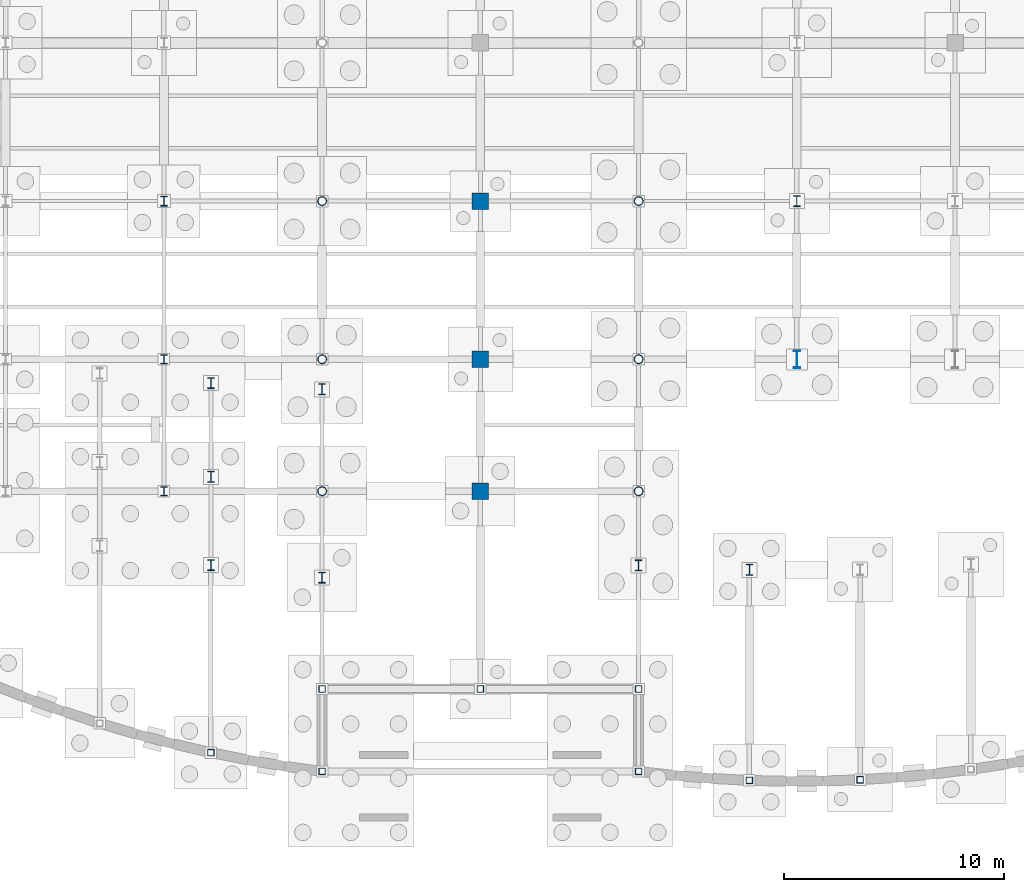
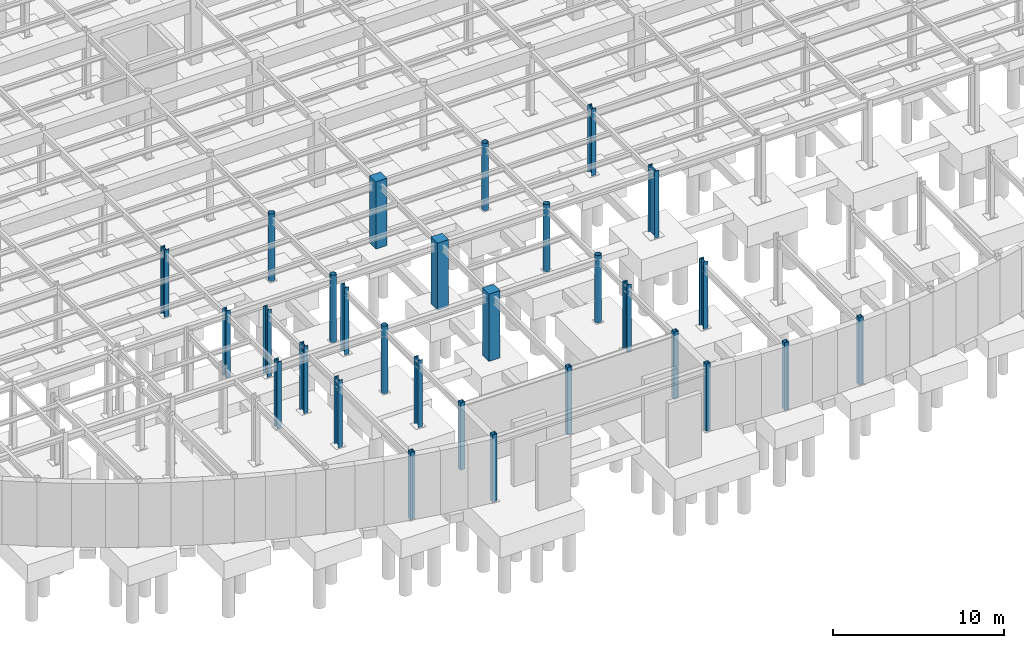
# One storey, part 19 of 64: 29 columns.
"""IFC4 building model written with IfcOpenShell, lengths in metres."""

import ifcopenshell
import ifcopenshell.guid

model = None  # the IFC model being written
_history = None  # IfcOwnerHistory: only IFC2X3 demands one
_inside = {}  # id of a spatial element -> (the spatial element, [elements in it])
_under = {}  # id of a project, library or spatial element -> (it, [spatial elements below it])
_declared = {}  # id of a project -> (the project, [libraries it declares])
_typed = {}  # id of a type object -> (the type object, [elements of that type])
_made_of = {}  # id of a material, layer set ... -> (it, [elements and type objects made of it])


def new_model(schema):
    """Start an empty IFC model of exactly this schema.

    Asked for "IFC4X3", IfcOpenShell would pick the latest addendum, in which some entities
    have other attributes; the version numbers below select the first issue.
    IFC2X3 requires an IfcOwnerHistory on every rooted entity: one is made here for all.
    """
    global model, _history
    if schema == "IFC4X3":
        model = ifcopenshell.file(schema_version=(4, 3, 0, 0))
    else:
        model = ifcopenshell.file(schema=schema)
    _inside.clear()
    _under.clear()
    _declared.clear()
    _typed.clear()
    _made_of.clear()
    _history = None
    if model.schema == "IFC2X3":
        org = make("IfcOrganization", Name="unknown")
        user = make(
            "IfcPersonAndOrganization",
            ThePerson=make("IfcPerson", FamilyName="unknown"),
            TheOrganization=org,
        )
        app = make(
            "IfcApplication",
            ApplicationDeveloper=org,
            Version="unknown",
            ApplicationFullName="unknown",
            ApplicationIdentifier="unknown",
        )
        _history = make(
            "IfcOwnerHistory",
            OwningUser=user,
            OwningApplication=app,
            ChangeAction="ADDED",
            CreationDate=0,
        )
    return model


def make(cls, **values):
    """One entity of the class cls with the attributes given. An attribute that is None is left unset."""
    return model.create_entity(
        cls, **{name: value for name, value in values.items() if value is not None}
    )


def rooted(cls, **values):
    """An entity with a GlobalId (a new one), such as an element, a storey or a relation."""
    return make(cls, GlobalId=ifcopenshell.guid.new(), OwnerHistory=_history, **values)


def si_unit(unit_type, name, prefix=None):
    """IfcSIUnit, for example si_unit("LENGTHUNIT", "METRE", prefix="MILLI")."""
    return make("IfcSIUnit", UnitType=unit_type, Prefix=prefix, Name=name)


def assignment(units):
    """IfcUnitAssignment: the units of a project."""
    return None if units is None else make("IfcUnitAssignment", Units=units)


def point(xyz):
    """IfcCartesianPoint."""
    return None if xyz is None else make("IfcCartesianPoint", Coordinates=xyz)


def direction(xyz):
    """IfcDirection."""
    return None if xyz is None else make("IfcDirection", DirectionRatios=xyz)


def frame(location, z_axis=None, x_axis=None):
    """IfcAxis2Placement3D, a coordinate frame: its origin and axes. An axis left out is left unset."""
    return make(
        "IfcAxis2Placement3D",
        Location=point(location),
        Axis=direction(z_axis),
        RefDirection=direction(x_axis),
    )


def frame_2d(location, x_axis=None):
    """IfcAxis2Placement2D, a coordinate frame in the plane: its origin and x axis."""
    return make(
        "IfcAxis2Placement2D", Location=point(location), RefDirection=direction(x_axis)
    )


def origin():
    """The frame at (0, 0, 0) with its axes left unset."""
    return frame((0.0, 0.0, 0.0))


def origin_2d():
    """The frame at (0, 0) in the plane with its x axis left unset."""
    return frame_2d((0.0, 0.0))


def place(relative_to, where):
    """IfcLocalPlacement: puts the frame where relative to a parent placement (None: the world)."""
    return make(
        "IfcLocalPlacement", PlacementRelTo=relative_to, RelativePlacement=where
    )


def context(
    kind, dimensions, precision=None, world=None, true_north=None, identifier=None
):
    """IfcGeometricRepresentationContext, for example the 3D "Model" context."""
    return make(
        "IfcGeometricRepresentationContext",
        ContextIdentifier=identifier,
        ContextType=kind,
        CoordinateSpaceDimension=dimensions,
        Precision=precision,
        WorldCoordinateSystem=world,
        TrueNorth=true_north,
    )


def subcontext(parent, identifier, kind, view, scale=None):
    """IfcGeometricRepresentationSubContext, for example "Body" below "Model"."""
    return make(
        "IfcGeometricRepresentationSubContext",
        ContextIdentifier=identifier,
        ContextType=kind,
        ParentContext=parent,
        TargetScale=scale,
        TargetView=view,
    )


def project(units=None, contexts=None):
    """IfcProject with its units and contexts."""
    return rooted(
        "IfcProject",
        Name="project",
        RepresentationContexts=contexts,
        UnitsInContext=assignment(units),
    )


def spatial(cls, under=None, at=None, **own):
    """A site, building, storey or space (cls), placed at a placement, below another one or the project."""
    s = rooted(cls, ObjectPlacement=at, **own)
    if under is not None:
        _under.setdefault(under.id(), (under, []))[1].append(s)
    return s


def profile(cls, at=None, kind="AREA", **sizes):
    """A parametric profile (cls). Its sizes go by their IFC names, for example OverallWidth=200.0."""
    return make(cls, ProfileType=kind, Position=at, **sizes)


def rectangle(**sizes):
    """IfcRectangleProfileDef."""
    return profile("IfcRectangleProfileDef", **sizes)


def hollow_rectangle(**sizes):
    """IfcRectangleHollowProfileDef."""
    return profile("IfcRectangleHollowProfileDef", **sizes)


def hollow_circle(**sizes):
    """IfcCircleHollowProfileDef."""
    return profile("IfcCircleHollowProfileDef", **sizes)


def i_section(**sizes):
    """IfcIShapeProfileDef."""
    return profile("IfcIShapeProfileDef", **sizes)


def extrude(swept, where, along, depth):
    """IfcExtrudedAreaSolid: the profile swept, set in the frame where, extruded along a direction by depth."""
    return make(
        "IfcExtrudedAreaSolid",
        SweptArea=swept,
        Position=where,
        ExtrudedDirection=direction(along),
        Depth=depth,
    )


def shape(context_of_items, identifier, shape_type, items):
    """IfcShapeRepresentation: the items that make up one representation, for example the "Body"."""
    return make(
        "IfcShapeRepresentation",
        ContextOfItems=context_of_items,
        RepresentationIdentifier=identifier,
        RepresentationType=shape_type,
        Items=items,
    )


def material(Name=None, Category=None):
    """IfcMaterial."""
    return make("IfcMaterial", Name=Name, Category=Category)


def material_profile(
    of_material, cross_section, Name=None, Category=None, Priority=None
):
    """IfcMaterialProfile: a cross section and its material."""
    return make(
        "IfcMaterialProfile",
        Name=Name,
        Material=of_material,
        Profile=cross_section,
        Priority=Priority,
        Category=Category,
    )


def profile_set(profiles, Name=None, composite=None):
    """IfcMaterialProfileSet."""
    return make(
        "IfcMaterialProfileSet",
        Name=Name,
        MaterialProfiles=profiles,
        CompositeProfile=composite,
    )


def made_of(thing, what):
    """Note that an element or type object is made of a material, layer set ...; save() writes the relation."""
    if what is not None:
        _made_of.setdefault(what.id(), (what, []))[1].append(thing)
    return thing


def type_object(cls, material=None, **own):
    """A type object (cls), such as IfcWallType, which elements share."""
    return made_of(rooted(cls, **own), material)


def element(
    cls,
    number,
    at=None,
    inside=None,
    cuts=None,
    type_object=None,
    material=None,
    context=None,
    identifier="Body",
    shape_type=None,
    held_by="IfcProductDefinitionShape",
    body=None,
    shapes=None,
    **own,
):
    """One element of the class cls, such as IfcWall. Its Tag is "e" and its number.

    at: its placement. inside: the storey or other place that contains it. cuts: it is an
    opening in that element (IfcRelVoidsElement). A single representation is given by context,
    identifier, shape_type and body (its items); several are given by shapes. held_by: the class
    of the entity that holds the representations. save() writes the other relations.
    """
    e = rooted(cls, Tag="e%d" % number, ObjectPlacement=at, **own)
    if body is not None:
        shapes = [shape(context, identifier, shape_type, body)]
    if shapes is not None:
        e.Representation = make(held_by, Representations=shapes)
    if inside is not None:
        _inside.setdefault(inside.id(), (inside, []))[1].append(e)
    if cuts is not None:
        rooted(
            "IfcRelVoidsElement", RelatingBuildingElement=cuts, RelatedOpeningElement=e
        )
    if type_object is not None:
        _typed.setdefault(type_object.id(), (type_object, []))[1].append(e)
    return made_of(e, material)


def aggregate(whole, parts):
    """IfcRelAggregates: a whole, such as a stair, and the parts it consists of."""
    return rooted("IfcRelAggregates", RelatingObject=whole, RelatedObjects=parts)


def save(model, path):
    """Write the relations noted so far, then the file.

    IfcRelAggregates (storeys below a building ...), IfcRelContainedInSpatialStructure (elements
    in a storey), IfcRelDefinesByType, IfcRelAssociatesMaterial and IfcRelDeclares: one each for
    every whole, place, type object, material and project.
    """
    for whole, parts in _under.values():
        aggregate(whole, parts)
    for where, things in _inside.values():
        rooted(
            "IfcRelContainedInSpatialStructure",
            RelatedElements=things,
            RelatingStructure=where,
        )
    for kind, things in _typed.values():
        rooted("IfcRelDefinesByType", RelatedObjects=things, RelatingType=kind)
    for what, things in _made_of.values():
        rooted("IfcRelAssociatesMaterial", RelatedObjects=things, RelatingMaterial=what)
    for by, libraries in _declared.values():
        rooted("IfcRelDeclares", RelatingContext=by, RelatedDefinitions=libraries)
    model.write(path)


model = new_model("IFC4")

# Units and contexts
model_context = context("Model", 3, precision=1e-05, world=origin(), true_north=direction((0.0, 1.0)))
body_context = subcontext(model_context, "Body", "Model", "MODEL_VIEW")
ifc_project = project(units=[si_unit("LENGTHUNIT", "METRE"), si_unit("AREAUNIT", "SQUARE_METRE"), si_unit("VOLUMEUNIT", "CUBIC_METRE"), si_unit("PLANEANGLEUNIT", "RADIAN"), si_unit("MASSUNIT", "GRAM", prefix="KILO")], contexts=[model_context])

# Site, building, storey
site_placement = place(None, origin())
site = spatial("IfcSite", under=ifc_project, at=site_placement, CompositionType="ELEMENT")
building_placement = place(site_placement, origin())
building = spatial("IfcBuilding", under=site, at=building_placement, Name="Solvadek Multi-Sports Hall", CompositionType="ELEMENT")
storey_placement = place(building_placement, frame((0.0, 0.0, -4.800048828125)))
storey = spatial("IfcBuildingStorey", under=building, at=storey_placement, Name="B1", CompositionType="ELEMENT", Elevation=-4.800048828125)

# Columns
ifc_material_1 = material(Name="Steel E350 (350 MPa)", Category="steel")
ifc_material_profile_1 = material_profile(ifc_material_1, hollow_circle(Radius=0.203125, WallThickness=0.01611328125, at=origin_2d()), Name="CHS 406.4x16")
ifc_profile_set_1 = profile_set([ifc_material_profile_1], Name="Steel E350 (350 MPa)")
column_type_1 = type_object("IfcColumnType", Name="STR-COL-CHS406", PredefinedType="COLUMN", material=ifc_profile_set_1)
for number, where, z_axis, x_axis, name in (
    (1, (72.0, 0.0, 0.0), (0.0, 0.0, 1.0), (1.0, 0.0, 0.0), "B1 Column C-11 #144"),
    (2, (72.0, 6.0, 0.0), (0.0, 0.0, 1.0), (1.0, 0.0, 0.0), "B1 Column C-11 #145"),
    (3, (72.0, 13.199951171875, 0.0), (0.0, 0.0, 1.0), (1.0, 0.0, 0.0), "B1 Column C-11 #146"),
    (4, (86.39990234375, 0.0, 0.0), (0.0, 0.0, 1.0), (1.0, 0.0, 0.0), "B1 Column C-11 #174"),
    (5, (86.39990234375, 6.0, 0.0), (0.0, 0.0, 1.0), (1.0, 0.0, 0.0), "B1 Column C-11 #175"),
    (6, (86.39990234375, 13.199951171875, 0.0), (0.0, 0.0, 1.0), (1.0, 0.0, 0.0), "B1 Column C-11 #176"),
):
    element("IfcColumn", number, at=place(storey_placement, frame(where, z_axis=z_axis, x_axis=x_axis)), inside=storey, type_object=column_type_1, Name=name, PredefinedType="COLUMN", context=body_context, shape_type="SweptSolid", body=[
        extrude(hollow_circle(Radius=0.203125, WallThickness=0.01611328125, at=origin_2d()), origin(), (0.0, 0.0, 1.0), 4.800048828125),
    ])
ifc_material_2 = material(Name="Concrete M40", Category="concrete")
ifc_material_profile_2 = material_profile(ifc_material_2, rectangle(XDim=0.75, YDim=0.75, at=origin_2d()), Name="RC 750x750")
ifc_profile_set_2 = profile_set([ifc_material_profile_2], Name="Concrete M40")
column_type_2 = type_object("IfcColumnType", Name="STR-COL-RC750", PredefinedType="COLUMN", material=ifc_profile_set_2)
for number, where, z_axis, x_axis, name in (
    (7, (79.199951171875, 0.0, 0.0), (0.0, 0.0, 1.0), (1.0, 0.0, 0.0), "B1 Column C-13 #160"),
    (8, (79.199951171875, 6.0, 0.0), (0.0, 0.0, 1.0), (1.0, 0.0, 0.0), "B1 Column C-13 #161"),
    (9, (79.199951171875, 13.199951171875, 0.0), (0.0, 0.0, 1.0), (1.0, 0.0, 0.0), "B1 Column C-13 #162"),
):
    element("IfcColumn", number, at=place(storey_placement, frame(where, z_axis=z_axis, x_axis=x_axis)), inside=storey, type_object=column_type_2, Name=name, PredefinedType="COLUMN", context=body_context, shape_type="SweptSolid", body=[
        extrude(rectangle(XDim=0.75, YDim=0.75, at=origin_2d()), origin(), (0.0, 0.0, 1.0), 4.800048828125),
    ])
ifc_material_profile_3 = material_profile(ifc_material_1, hollow_rectangle(XDim=0.300048828125, YDim=0.300048828125, WallThickness=0.012451171875, at=origin_2d()), Name="SHS 300x300x12.5")
ifc_profile_set_3 = profile_set([ifc_material_profile_3], Name="Steel E350 (350 MPa)")
column_type_3 = type_object("IfcColumnType", Name="STR-COL-SHS300", PredefinedType="COLUMN", material=ifc_profile_set_3)
for number, where, z_axis, x_axis, name in (
    (10, (66.939453125, -11.893798828125, 0.0), (0.0, 0.0, 1.0), (1.0, 0.0, 0.0), "B1 Column C-10 #283"),
    (11, (72.0, -12.7529296875, 0.0), (0.0, 0.0, 1.0), (1.0, 0.0, 0.0), "B1 Column C-10 #287"),
    (12, (86.39990234375, -12.7529296875, 0.0), (0.0, 0.0, 1.0), (1.0, 0.0, 0.0), "B1 Column C-10 #290"),
    (13, (91.43994140625, -13.159912109375, 0.0), (0.0, 0.0, 1.0), (1.0, 0.0, 0.0), "B1 Column C-10 #292"),
    (14, (96.47998046875, -13.128662109375, 0.0), (0.0, 0.0, 1.0), (1.0, 0.0, 0.0), "B1 Column C-10 #294"),
    (15, (72.0, -9.0, 0.0), (0.0, 0.0, 1.0), (1.0, 0.0, 0.0), "B1 Column C-10 #309"),
    (16, (79.199951171875, -9.0, 0.0), (0.0, 0.0, 1.0), (1.0, 0.0, 0.0), "B1 Column C-10 #310"),
    (17, (86.39990234375, -9.0, 0.0), (0.0, 0.0, 1.0), (1.0, 0.0, 0.0), "B1 Column C-10 #311"),
):
    element("IfcColumn", number, at=place(storey_placement, frame(where, z_axis=z_axis, x_axis=x_axis)), inside=storey, type_object=column_type_3, Name=name, PredefinedType="COLUMN", context=body_context, shape_type="SweptSolid", body=[
        extrude(hollow_rectangle(XDim=0.300048828125, YDim=0.300048828125, WallThickness=0.012451171875, at=origin_2d()), origin(), (0.0, 0.0, 1.0), 4.800048828125),
    ])
ifc_material_profile_4 = material_profile(ifc_material_1, i_section(OverallWidth=0.300048828125, OverallDepth=0.39990234375, WebThickness=0.013427734375, FlangeThickness=0.02392578125, at=origin_2d()), Name="WPB 400")
ifc_profile_set_4 = profile_set([ifc_material_profile_4], Name="Steel E350 (350 MPa)")
column_type_4 = type_object("IfcColumnType", Name="STR-COL-WPB400", PredefinedType="COLUMN", material=ifc_profile_set_4)
for number, where, z_axis, x_axis, name in (
    (18, (64.800048828125, 0.0, 0.0), (0.0, 0.0, 1.0), (1.0, 0.0, 0.0), "B1 Column C-07 #129"),
    (19, (64.800048828125, 6.0, 0.0), (0.0, 0.0, 1.0), (1.0, 0.0, 0.0), "B1 Column C-07 #130"),
):
    element("IfcColumn", number, at=place(storey_placement, frame(where, z_axis=z_axis, x_axis=x_axis)), inside=storey, type_object=column_type_4, Name=name, PredefinedType="COLUMN", context=body_context, shape_type="SweptSolid", body=[
        extrude(i_section(OverallWidth=0.300048828125, OverallDepth=0.39990234375, WebThickness=0.013427734375, FlangeThickness=0.02392578125, at=origin_2d()), origin(), (0.0, 0.0, 1.0), 4.800048828125),
    ])
ifc_material_profile_5 = material_profile(ifc_material_1, i_section(OverallWidth=0.300048828125, OverallDepth=0.449951171875, WebThickness=0.013916015625, FlangeThickness=0.02587890625, at=origin_2d()), Name="WPB 450")
ifc_profile_set_5 = profile_set([ifc_material_profile_5], Name="Steel E350 (350 MPa)")
column_type_5 = type_object("IfcColumnType", Name="STR-COL-WPB450", PredefinedType="COLUMN", material=ifc_profile_set_5)
column_1_placement = place(storey_placement, frame((64.800048828125, 13.199951171875, 0.0), z_axis=(0.0, 0.0, 1.0), x_axis=(1.0, 0.0, 0.0)))
element("IfcColumn", 20, at=column_1_placement, inside=storey, type_object=column_type_5, Name="B1 Column C-06 #131", PredefinedType="COLUMN", context=body_context, shape_type="SweptSolid", body=[
    extrude(i_section(OverallWidth=0.300048828125, OverallDepth=0.449951171875, WebThickness=0.013916015625, FlangeThickness=0.02587890625, at=origin_2d()), origin(), (0.0, 0.0, 1.0), 4.800048828125),
])
ifc_material_profile_6 = material_profile(ifc_material_1, i_section(OverallWidth=0.300048828125, OverallDepth=0.5, WebThickness=0.014404296875, FlangeThickness=0.028076171875, at=origin_2d()), Name="WPB 500")
ifc_profile_set_6 = profile_set([ifc_material_profile_6], Name="Steel E350 (350 MPa)")
column_type_6 = type_object("IfcColumnType", Name="STR-COL-WPB500", PredefinedType="COLUMN", material=ifc_profile_set_6)
for number, where, z_axis, x_axis, name in (
    (21, (93.60009765625, 13.199951171875, 0.0), (0.0, 0.0, 1.0), (1.0, 0.0, 0.0), "B1 Column C-05 #191"),
    (22, (66.939453125, 0.653076171875, 0.0), (0.0, 0.0, 1.0), (1.0, 0.0, 0.0), "B1 Column C-05 #284"),
    (23, (66.939453125, -3.362060546875, 0.0), (0.0, 0.0, 1.0), (1.0, 0.0, 0.0), "B1 Column C-05 #285"),
    (24, (66.939453125, 4.9189453125, 0.0), (0.0, 0.0, 1.0), (1.0, 0.0, 0.0), "B1 Column C-05 #286"),
    (25, (72.0, -3.928955078125, 0.0), (0.0, 0.0, 1.0), (1.0, 0.0, 0.0), "B1 Column C-05 #288"),
    (26, (72.0, 4.635498046875, 0.0), (0.0, 0.0, 1.0), (1.0, 0.0, 0.0), "B1 Column C-05 #289"),
    (27, (86.39990234375, -3.37646484375, 0.0), (0.0, 0.0, 1.0), (1.0, 0.0, 0.0), "B1 Column C-05 #291"),
    (28, (91.43994140625, -3.580078125, 0.0), (0.0, 0.0, 1.0), (1.0, 0.0, 0.0), "B1 Column C-05 #293"),
):
    element("IfcColumn", number, at=place(storey_placement, frame(where, z_axis=z_axis, x_axis=x_axis)), inside=storey, type_object=column_type_6, Name=name, PredefinedType="COLUMN", context=body_context, shape_type="SweptSolid", body=[
        extrude(i_section(OverallWidth=0.300048828125, OverallDepth=0.5, WebThickness=0.014404296875, FlangeThickness=0.028076171875, at=origin_2d()), origin(), (0.0, 0.0, 1.0), 4.800048828125),
    ])
ifc_material_profile_7 = material_profile(ifc_material_1, i_section(OverallWidth=0.300048828125, OverallDepth=0.800048828125, WebThickness=0.017578125, FlangeThickness=0.032958984375, at=origin_2d()), Name="WPB 800")
ifc_profile_set_7 = profile_set([ifc_material_profile_7], Name="Steel E350 (350 MPa)")
column_type_7 = type_object("IfcColumnType", Name="STR-COL-WPB800", PredefinedType="COLUMN", material=ifc_profile_set_7)
column_2_placement = place(storey_placement, frame((93.60009765625, 6.0, 0.0), z_axis=(0.0, 0.0, 1.0), x_axis=(1.0, 0.0, 0.0)))
element("IfcColumn", 29, at=column_2_placement, inside=storey, type_object=column_type_7, Name="B1 Column C-01 #190", PredefinedType="COLUMN", context=body_context, shape_type="SweptSolid", body=[
    extrude(i_section(OverallWidth=0.300048828125, OverallDepth=0.800048828125, WebThickness=0.017578125, FlangeThickness=0.032958984375, at=origin_2d()), origin(), (0.0, 0.0, 1.0), 4.800048828125),
])

save(model, "model.ifc")
